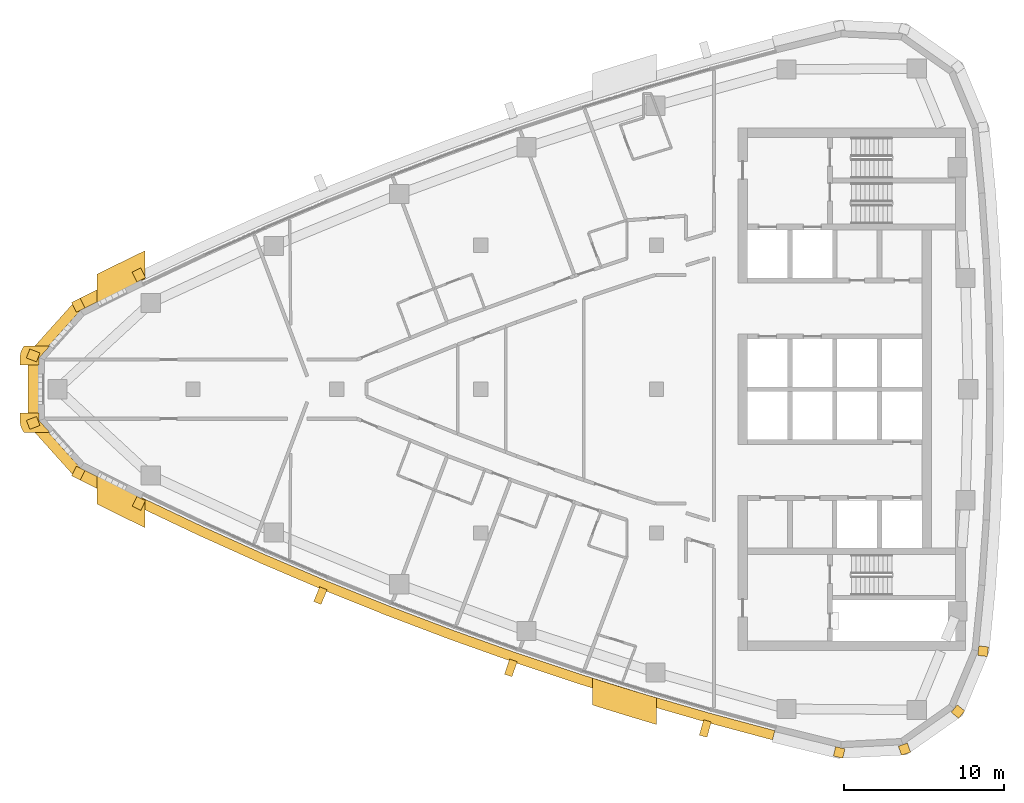
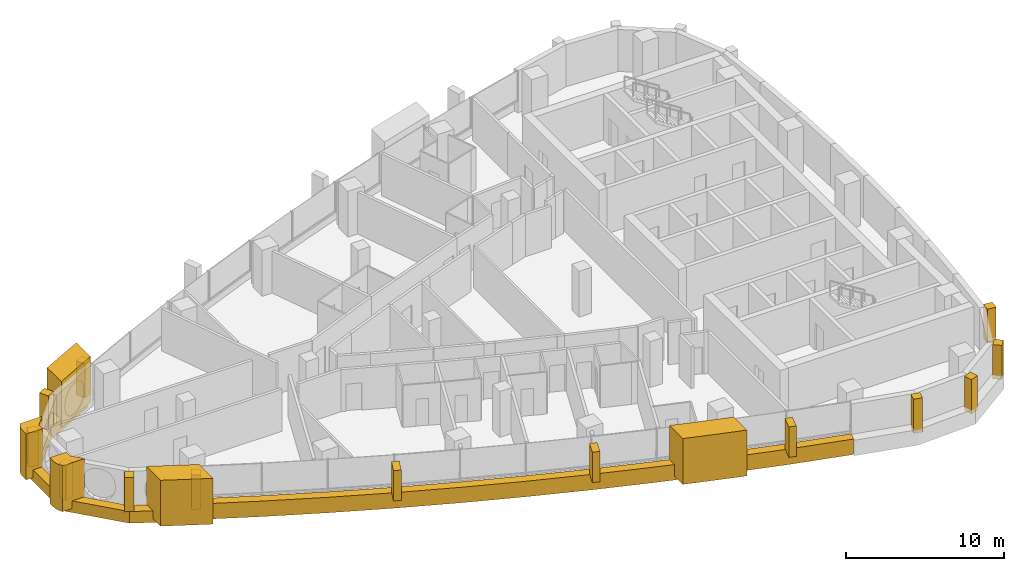
# One storey, part 13 of 16: 20 coverings.
"""IFC4 building model written with IfcOpenShell, lengths in metres."""

import ifcopenshell
import ifcopenshell.guid

model = None  # the IFC model being written
_history = None  # IfcOwnerHistory: only IFC2X3 demands one
_inside = {}  # id of a spatial element -> (the spatial element, [elements in it])
_under = {}  # id of a project, library or spatial element -> (it, [spatial elements below it])
_declared = {}  # id of a project -> (the project, [libraries it declares])
_typed = {}  # id of a type object -> (the type object, [elements of that type])
_made_of = {}  # id of a material, layer set ... -> (it, [elements and type objects made of it])


def new_model(schema):
    """Start an empty IFC model of exactly this schema.

    Asked for "IFC4X3", IfcOpenShell would pick the latest addendum, in which some entities
    have other attributes; the version numbers below select the first issue.
    IFC2X3 requires an IfcOwnerHistory on every rooted entity: one is made here for all.
    """
    global model, _history
    if schema == "IFC4X3":
        model = ifcopenshell.file(schema_version=(4, 3, 0, 0))
    else:
        model = ifcopenshell.file(schema=schema)
    _inside.clear()
    _under.clear()
    _declared.clear()
    _typed.clear()
    _made_of.clear()
    _history = None
    if model.schema == "IFC2X3":
        org = make("IfcOrganization", Name="unknown")
        user = make(
            "IfcPersonAndOrganization",
            ThePerson=make("IfcPerson", FamilyName="unknown"),
            TheOrganization=org,
        )
        app = make(
            "IfcApplication",
            ApplicationDeveloper=org,
            Version="unknown",
            ApplicationFullName="unknown",
            ApplicationIdentifier="unknown",
        )
        _history = make(
            "IfcOwnerHistory",
            OwningUser=user,
            OwningApplication=app,
            ChangeAction="ADDED",
            CreationDate=0,
        )
    return model


def make(cls, **values):
    """One entity of the class cls with the attributes given. An attribute that is None is left unset."""
    return model.create_entity(
        cls, **{name: value for name, value in values.items() if value is not None}
    )


def rooted(cls, **values):
    """An entity with a GlobalId (a new one), such as an element, a storey or a relation."""
    return make(cls, GlobalId=ifcopenshell.guid.new(), OwnerHistory=_history, **values)


def si_unit(unit_type, name, prefix=None):
    """IfcSIUnit, for example si_unit("LENGTHUNIT", "METRE", prefix="MILLI")."""
    return make("IfcSIUnit", UnitType=unit_type, Prefix=prefix, Name=name)


def assignment(units):
    """IfcUnitAssignment: the units of a project."""
    return None if units is None else make("IfcUnitAssignment", Units=units)


def point(xyz):
    """IfcCartesianPoint."""
    return None if xyz is None else make("IfcCartesianPoint", Coordinates=xyz)


def direction(xyz):
    """IfcDirection."""
    return None if xyz is None else make("IfcDirection", DirectionRatios=xyz)


def frame(location, z_axis=None, x_axis=None):
    """IfcAxis2Placement3D, a coordinate frame: its origin and axes. An axis left out is left unset."""
    return make(
        "IfcAxis2Placement3D",
        Location=point(location),
        Axis=direction(z_axis),
        RefDirection=direction(x_axis),
    )


def frame_2d(location, x_axis=None):
    """IfcAxis2Placement2D, a coordinate frame in the plane: its origin and x axis."""
    return make(
        "IfcAxis2Placement2D", Location=point(location), RefDirection=direction(x_axis)
    )


def origin():
    """The frame at (0, 0, 0) with its axes left unset."""
    return frame((0.0, 0.0, 0.0))


def place(relative_to, where):
    """IfcLocalPlacement: puts the frame where relative to a parent placement (None: the world)."""
    return make(
        "IfcLocalPlacement", PlacementRelTo=relative_to, RelativePlacement=where
    )


def context(
    kind, dimensions, precision=None, world=None, true_north=None, identifier=None
):
    """IfcGeometricRepresentationContext, for example the 3D "Model" context."""
    return make(
        "IfcGeometricRepresentationContext",
        ContextIdentifier=identifier,
        ContextType=kind,
        CoordinateSpaceDimension=dimensions,
        Precision=precision,
        WorldCoordinateSystem=world,
        TrueNorth=true_north,
    )


def subcontext(parent, identifier, kind, view, scale=None):
    """IfcGeometricRepresentationSubContext, for example "Body" below "Model"."""
    return make(
        "IfcGeometricRepresentationSubContext",
        ContextIdentifier=identifier,
        ContextType=kind,
        ParentContext=parent,
        TargetScale=scale,
        TargetView=view,
    )


def project(units=None, contexts=None):
    """IfcProject with its units and contexts."""
    return rooted(
        "IfcProject",
        Name="project",
        RepresentationContexts=contexts,
        UnitsInContext=assignment(units),
    )


def spatial(cls, under=None, at=None, **own):
    """A site, building, storey or space (cls), placed at a placement, below another one or the project."""
    s = rooted(cls, ObjectPlacement=at, **own)
    if under is not None:
        _under.setdefault(under.id(), (under, []))[1].append(s)
    return s


def polyline(points):
    """IfcPolyline through the points."""
    return make("IfcPolyline", Points=[point(p) for p in points])


def profile(cls, at=None, kind="AREA", **sizes):
    """A parametric profile (cls). Its sizes go by their IFC names, for example OverallWidth=200.0."""
    return make(cls, ProfileType=kind, Position=at, **sizes)


def rectangle(**sizes):
    """IfcRectangleProfileDef."""
    return profile("IfcRectangleProfileDef", **sizes)


def outline(outer, holes=None, kind="AREA"):
    """IfcArbitraryClosedProfileDef: a profile drawn as a closed curve; with holes, ...WithVoids."""
    if holes is None:
        return make("IfcArbitraryClosedProfileDef", ProfileType=kind, OuterCurve=outer)
    return make(
        "IfcArbitraryProfileDefWithVoids",
        ProfileType=kind,
        OuterCurve=outer,
        InnerCurves=holes,
    )


def extrude(swept, where, along, depth):
    """IfcExtrudedAreaSolid: the profile swept, set in the frame where, extruded along a direction by depth."""
    return make(
        "IfcExtrudedAreaSolid",
        SweptArea=swept,
        Position=where,
        ExtrudedDirection=direction(along),
        Depth=depth,
    )


def shape(context_of_items, identifier, shape_type, items):
    """IfcShapeRepresentation: the items that make up one representation, for example the "Body"."""
    return make(
        "IfcShapeRepresentation",
        ContextOfItems=context_of_items,
        RepresentationIdentifier=identifier,
        RepresentationType=shape_type,
        Items=items,
    )


def material(Name=None, Category=None):
    """IfcMaterial."""
    return make("IfcMaterial", Name=Name, Category=Category)


def layer(
    of_material, thickness, ventilated=None, Name=None, Category=None, Priority=None
):
    """IfcMaterialLayer: one layer of a wall or slab, of a material (None: an air gap)."""
    return make(
        "IfcMaterialLayer",
        Material=of_material,
        LayerThickness=thickness,
        IsVentilated=ventilated,
        Name=Name,
        Category=Category,
        Priority=Priority,
    )


def layer_set(layers, Name=None):
    """IfcMaterialLayerSet."""
    return make("IfcMaterialLayerSet", MaterialLayers=layers, LayerSetName=Name)


def made_of(thing, what):
    """Note that an element or type object is made of a material, layer set ...; save() writes the relation."""
    if what is not None:
        _made_of.setdefault(what.id(), (what, []))[1].append(thing)
    return thing


def type_object(cls, material=None, **own):
    """A type object (cls), such as IfcWallType, which elements share."""
    return made_of(rooted(cls, **own), material)


def element(
    cls,
    number,
    at=None,
    inside=None,
    cuts=None,
    type_object=None,
    material=None,
    context=None,
    identifier="Body",
    shape_type=None,
    held_by="IfcProductDefinitionShape",
    body=None,
    shapes=None,
    **own,
):
    """One element of the class cls, such as IfcWall. Its Tag is "e" and its number.

    at: its placement. inside: the storey or other place that contains it. cuts: it is an
    opening in that element (IfcRelVoidsElement). A single representation is given by context,
    identifier, shape_type and body (its items); several are given by shapes. held_by: the class
    of the entity that holds the representations. save() writes the other relations.
    """
    e = rooted(cls, Tag="e%d" % number, ObjectPlacement=at, **own)
    if body is not None:
        shapes = [shape(context, identifier, shape_type, body)]
    if shapes is not None:
        e.Representation = make(held_by, Representations=shapes)
    if inside is not None:
        _inside.setdefault(inside.id(), (inside, []))[1].append(e)
    if cuts is not None:
        rooted(
            "IfcRelVoidsElement", RelatingBuildingElement=cuts, RelatedOpeningElement=e
        )
    if type_object is not None:
        _typed.setdefault(type_object.id(), (type_object, []))[1].append(e)
    return made_of(e, material)


def aggregate(whole, parts):
    """IfcRelAggregates: a whole, such as a stair, and the parts it consists of."""
    return rooted("IfcRelAggregates", RelatingObject=whole, RelatedObjects=parts)


def save(model, path):
    """Write the relations noted so far, then the file.

    IfcRelAggregates (storeys below a building ...), IfcRelContainedInSpatialStructure (elements
    in a storey), IfcRelDefinesByType, IfcRelAssociatesMaterial and IfcRelDeclares: one each for
    every whole, place, type object, material and project.
    """
    for whole, parts in _under.values():
        aggregate(whole, parts)
    for where, things in _inside.values():
        rooted(
            "IfcRelContainedInSpatialStructure",
            RelatedElements=things,
            RelatingStructure=where,
        )
    for kind, things in _typed.values():
        rooted("IfcRelDefinesByType", RelatedObjects=things, RelatingType=kind)
    for what, things in _made_of.values():
        rooted("IfcRelAssociatesMaterial", RelatedObjects=things, RelatingMaterial=what)
    for by, libraries in _declared.values():
        rooted("IfcRelDeclares", RelatingContext=by, RelatedDefinitions=libraries)
    model.write(path)


model = new_model("IFC4")

# Units and contexts
model_context = context("Model", 3, precision=1e-05, world=origin(), true_north=direction((0.0, 1.0)))
body_context = subcontext(model_context, "Body", "Model", "MODEL_VIEW")
ifc_project = project(units=[si_unit("LENGTHUNIT", "METRE"), si_unit("AREAUNIT", "SQUARE_METRE"), si_unit("VOLUMEUNIT", "CUBIC_METRE"), si_unit("PLANEANGLEUNIT", "RADIAN"), si_unit("MASSUNIT", "GRAM", prefix="KILO")], contexts=[model_context])

# Site, building, storey
site_placement = place(None, origin())
site = spatial("IfcSite", under=ifc_project, at=site_placement, CompositionType="ELEMENT")
building_placement = place(site_placement, origin())
building = spatial("IfcBuilding", under=site, at=building_placement, Name="Ostrand Prow Hotel Tower", CompositionType="ELEMENT")
storey_placement = place(building_placement, frame((0.0, 0.0, 220.800048828125)))
storey = spatial("IfcBuildingStorey", under=building, at=storey_placement, Name="L55", CompositionType="ELEMENT", Elevation=220.800048828125)

# Coverings
ifc_material_1 = material(Name="Bronze anodised aluminium cladding", Category="aluminium")
ifc_layer_1 = layer(ifc_material_1, 0.60009765625)
ifc_layer_set_1 = layer_set([ifc_layer_1], Name="Bronze anodised aluminium cladding")
covering_type_1 = type_object("IfcCoveringType", Name="Bronze prow band 899x600", PredefinedType="CLADDING", material=ifc_layer_set_1)
covering_1_placement = place(storey_placement, frame((0.0, 0.0, -0.300048828125)))
element("IfcCovering", 1, at=covering_1_placement, inside=storey, type_object=covering_type_1, Name="Bronze prow band", PredefinedType="CLADDING", context=body_context, shape_type="SweptSolid", body=[
    extrude(outline(polyline([(12.464111328125, 7.451904296875), (8.668212890625, 5.55517578125), (5.685302734375, 2.232666015625), (5.685302734375, -2.232666015625), (8.668212890625, -5.55517578125), (12.464111328125, -7.451904296875), (12.76171875, -6.840576171875), (8.97802734375, -4.949951171875), (6.3203125, -1.9892578125), (6.3203125, 1.9892578125), (8.97802734375, 4.949951171875), (12.76171875, 6.840576171875), (12.464111328125, 7.451904296875)])), origin(), (0.0, 0.0, 1.0), 0.89990234375),
])
ifc_material_2 = material(Name="Bronze anodised aluminium cladding", Category="aluminium")
ifc_layer_2 = layer(ifc_material_2, 0.60009765625)
ifc_layer_set_2 = layer_set([ifc_layer_2], Name="Bronze anodised aluminium cladding")
covering_type_2 = type_object("IfcCoveringType", Name="Bronze spandrel band 1200x600", PredefinedType="CLADDING", material=ifc_layer_set_2)
covering_2_placement = place(storey_placement, frame((0.0, 0.0, -0.300048828125)))
element("IfcCovering", 2, at=covering_2_placement, inside=storey, type_object=covering_type_2, Name="Spandrel band S1", PredefinedType="CLADDING", context=body_context, shape_type="SweptSolid", body=[
    extrude(outline(polyline([(12.526123046875, -7.324462890625), (16.35693359375, -9.14306640625), (20.2236328125, -10.88427734375), (24.12451171875, -12.547119140625), (28.058349609375, -14.131103515625), (32.02294921875, -15.635498046875), (36.017333984375, -17.059814453125), (40.039306640625, -18.403564453125), (44.087890625, -19.665771484375), (48.16064453125, -20.846435546875), (52.256591796875, -21.944580078125), (52.40625, -21.363525390625), (48.322021484375, -20.268310546875), (44.260498046875, -19.09130859375), (40.223876953125, -17.83251953125), (36.213134765625, -16.49267578125), (32.230224609375, -15.072509765625), (28.27685546875, -13.572265625), (24.354248046875, -11.992919921875), (20.464599609375, -10.334716796875), (16.60888671875, -8.598388671875), (12.788818359375, -6.784912109375), (12.526123046875, -7.324462890625)])), origin(), (0.0, 0.0, 1.0), 1.199951171875),
])
ifc_material_3 = material(Name="Limestone cladding", Category="masonry")
ifc_layer_3 = layer(ifc_material_3, 5.0)
ifc_layer_set_3 = layer_set([ifc_layer_3], Name="Limestone cladding")
covering_type_3 = type_object("IfcCoveringType", Name="Portal jamb pilaster limestone", PredefinedType="CLADDING", material=ifc_layer_set_3)
covering_3_placement = place(storey_placement, origin())
element("IfcCovering", 3, at=covering_3_placement, inside=storey, type_object=covering_type_3, Name="Portal jamb SA L55", PredefinedType="CLADDING", context=body_context, shape_type="SweptSolid", body=[
    extrude(outline(polyline([(10.0, -5.40087890625), (10.0, -7.19189453125), (11.0, -7.689453125), (12.0, -8.180419921875), (13.0, -8.664794921875), (13.0, -6.8876953125), (12.0, -6.398681640625), (11.0, -5.903076171875), (10.0, -5.40087890625)])), origin(), (0.0, 0.0, 1.0), 3.550048828125),
])
covering_4_placement = place(storey_placement, origin())
element("IfcCovering", 4, at=covering_4_placement, inside=storey, type_object=covering_type_3, Name="Portal jamb SB L55", PredefinedType="CLADDING", context=body_context, shape_type="SweptSolid", body=[
    extrude(outline(polyline([(41.0, -18.08154296875), (41.0, -19.760009765625), (42.0, -20.0732421875), (43.0, -20.381103515625), (44.0, -20.68359375), (45.0, -20.980712890625), (45.0, -19.312255859375), (44.0, -19.0126953125), (43.0, -18.707763671875), (42.0, -18.3974609375), (41.0, -18.08154296875)])), origin(), (0.0, 0.0, 1.0), 3.550048828125),
])
covering_5_placement = place(storey_placement, origin())
element("IfcCovering", 5, at=covering_5_placement, inside=storey, type_object=covering_type_3, Name="Portal jamb NA L55", PredefinedType="CLADDING", context=body_context, shape_type="SweptSolid", body=[
    extrude(outline(polyline([(10.0, 5.40087890625), (11.0, 5.903076171875), (12.0, 6.398681640625), (13.0, 6.8876953125), (13.0, 8.664794921875), (12.0, 8.180419921875), (11.0, 7.689453125), (10.0, 7.19189453125), (10.0, 5.40087890625)])), origin(), (0.0, 0.0, 1.0), 3.550048828125),
])
ifc_material_4 = material(Name="Limestone cladding", Category="masonry")
ifc_layer_4 = layer(ifc_material_4, 0.5)
ifc_layer_set_4 = layer_set([ifc_layer_4], Name="Limestone cladding")
covering_type_4 = type_object("IfcCoveringType", Name="Precast stone fin 500x900", PredefinedType="CLADDING", material=ifc_layer_set_4)
for number, where, z_axis, x_axis, name in (
    (6, (24.162841796875, -12.45458984375, 0.89990234375), (0.0, 0.0, 1.0), (-0.382811769845, -0.923826362943, 0.0), "Stone fin S 4"),
    (7, (36.0498046875, -16.96533203125, 0.89990234375), (0.0, 0.0, 1.0), (-0.326389393469, -0.945235401279, 0.0), "Stone fin S 7"),
    (8, (48.1875, -20.75, 0.89990234375), (0.0, 0.0, 1.0), (-0.26852507925, -0.963272693381, 0.0), "Stone fin S 10"),
):
    element("IfcCovering", number, at=place(storey_placement, frame(where, z_axis=z_axis, x_axis=x_axis)), inside=storey, type_object=covering_type_4, Name=name, PredefinedType="CLADDING", context=body_context, shape_type="SweptSolid", body=[
        extrude(rectangle(XDim=1.0, YDim=0.5, at=frame_2d((0.5, 0.0))), origin(), (0.0, 0.0, 1.0), 2.35009765625),
    ])
ifc_material_5 = material(Name="Limestone cladding", Category="masonry")
ifc_layer_5 = layer(ifc_material_5, 0.60009765625)
ifc_layer_set_5 = layer_set([ifc_layer_5], Name="Limestone cladding")
covering_type_5 = type_object("IfcCoveringType", Name="Precast stone prow rib 600x600", PredefinedType="CLADDING", material=ifc_layer_set_5)
for number, where, z_axis, x_axis, name in (
    (9, (12.76171875, 6.840576171875, 0.599853515625), (0.0, 0.0, 1.0), (-0.437708972644, 0.899116708368, 0.0), "Stone prow rib 1"),
    (10, (8.97802734375, 4.949951171875, 0.599853515625), (0.0, 0.0, 1.0), (-0.455667721738, 0.890149946563, 0.0), "Stone prow rib 2"),
):
    element("IfcCovering", number, at=place(storey_placement, frame(where, z_axis=z_axis, x_axis=x_axis)), inside=storey, type_object=covering_type_5, Name=name, PredefinedType="CLADDING", context=body_context, shape_type="SweptSolid", body=[
        extrude(rectangle(XDim=0.679931640625, YDim=0.60009765625, at=frame_2d((0.33984375, 0.0))), origin(), (0.0, 0.0, 1.0), 2.650146484375),
    ])
for number, where, z_axis, x_axis, name in (
    (11, (6.3203125, 1.9892578125, 0.599853515625), (0.0, 0.0, 1.0), (-0.9337521164, 0.357920361419, 0.0), "Stone prow rib 3"),
    (12, (6.3203125, -1.9892578125, 0.599853515625), (0.0, 0.0, 1.0), (-0.9337521164, -0.357920361419, 0.0), "Stone prow rib 4"),
):
    element("IfcCovering", number, at=place(storey_placement, frame(where, z_axis=z_axis, x_axis=x_axis)), inside=storey, type_object=covering_type_5, Name=name, PredefinedType="CLADDING", context=body_context, shape_type="SweptSolid", body=[
        extrude(rectangle(XDim=0.68017578125, YDim=0.60009765625, at=frame_2d((0.340087890625, 0.0))), origin(), (0.0, 0.0, 1.0), 2.650146484375),
    ])
for number, where, z_axis, x_axis, name in (
    (13, (8.97802734375, -4.949951171875, 0.599853515625), (0.0, 0.0, 1.0), (-0.455667721738, -0.890149946563, 0.0), "Stone prow rib 5"),
    (14, (12.76171875, -6.840576171875, 0.599853515625), (0.0, 0.0, 1.0), (-0.437708972644, -0.899116708368, 0.0), "Stone prow rib 6"),
):
    element("IfcCovering", number, at=place(storey_placement, frame(where, z_axis=z_axis, x_axis=x_axis)), inside=storey, type_object=covering_type_5, Name=name, PredefinedType="CLADDING", context=body_context, shape_type="SweptSolid", body=[
        extrude(rectangle(XDim=0.679931640625, YDim=0.60009765625, at=frame_2d((0.33984375, 0.0))), origin(), (0.0, 0.0, 1.0), 2.650146484375),
    ])
for number, where, z_axis, x_axis, name in (
    (15, (56.49755859375, -22.436279296875, 0.599853515625), (0.0, 0.0, 1.0), (-0.229878322855, -0.973219377469, 0.0), "Stone corner rib 2a"),
    (16, (60.417236328125, -22.240966796875, 0.599853515625), (0.0, 0.0, 1.0), (0.325489086777, -0.945545797087, 0.0), "Stone corner rib 3a"),
    (17, (63.62744140625, -19.98291015625, 0.599853515625), (0.0, 0.0, 1.0), (0.779994736518, -0.625786074473, 0.0), "Stone corner rib 4a"),
    (18, (65.13623046875, -16.35986328125, 0.599853515625), (0.0, 0.0, 1.0), (0.993628058569, -0.112708833834, 0.0), "Stone corner rib 4b"),
):
    element("IfcCovering", number, at=place(storey_placement, frame(where, z_axis=z_axis, x_axis=x_axis)), inside=storey, type_object=covering_type_5, Name=name, PredefinedType="CLADDING", context=body_context, shape_type="SweptSolid", body=[
        extrude(rectangle(XDim=0.60009765625, YDim=0.60009765625, at=frame_2d((0.300048828125, 0.0))), origin(), (0.0, 0.0, 1.0), 2.650146484375),
    ])
ifc_material_6 = material(Name="Limestone cladding", Category="masonry")
ifc_layer_6 = layer(ifc_material_6, 3.0)
ifc_layer_set_6 = layer_set([ifc_layer_6], Name="Limestone cladding")
covering_type_6 = type_object("IfcCoveringType", Name="Prow nose pier limestone", PredefinedType="CLADDING", material=ifc_layer_set_6)
covering_6_placement = place(storey_placement, origin())
element("IfcCovering", 19, at=covering_6_placement, inside=storey, type_object=covering_type_6, Name="Prow spine fin N L55", PredefinedType="CLADDING", context=body_context, shape_type="SweptSolid", body=[
    extrude(outline(polyline([(5.177734375, 1.96728515625), (5.177734375, 1.5), (6.377685546875, 1.5), (6.377685546875, 1.96728515625), (7.03564453125, 2.699951171875), (5.42919921875, 2.699951171875), (5.406005859375, 2.67138671875), (5.337890625, 2.566162109375), (5.28125, 2.454345703125), (5.236328125, 2.33740234375), (5.203857421875, 2.21630859375), (5.184326171875, 2.09228515625), (5.177734375, 1.96728515625)])), origin(), (0.0, 0.0, 1.0), 3.550048828125),
])
covering_7_placement = place(storey_placement, origin())
element("IfcCovering", 20, at=covering_7_placement, inside=storey, type_object=covering_type_6, Name="Prow spine fin S L55", PredefinedType="CLADDING", context=body_context, shape_type="SweptSolid", body=[
    extrude(outline(polyline([(5.406005859375, -2.67138671875), (5.42919921875, -2.699951171875), (7.03564453125, -2.699951171875), (6.377685546875, -1.96728515625), (6.377685546875, -1.5), (5.177734375, -1.5), (5.177734375, -1.96728515625), (5.184326171875, -2.09228515625), (5.203857421875, -2.21630859375), (5.236328125, -2.33740234375), (5.28125, -2.454345703125), (5.337890625, -2.566162109375), (5.406005859375, -2.67138671875)])), origin(), (0.0, 0.0, 1.0), 3.550048828125),
])

save(model, "model.ifc")
